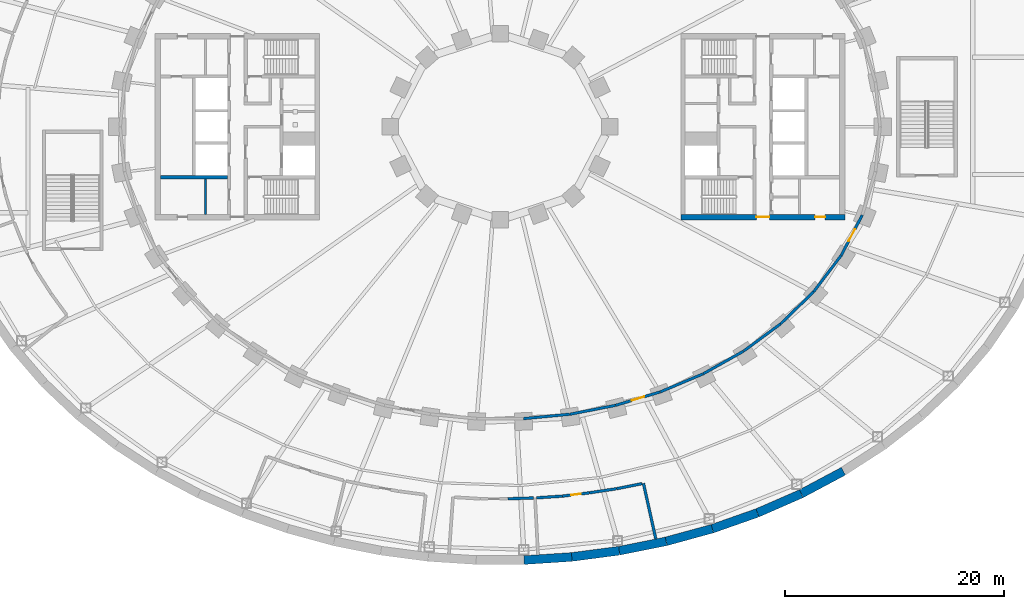
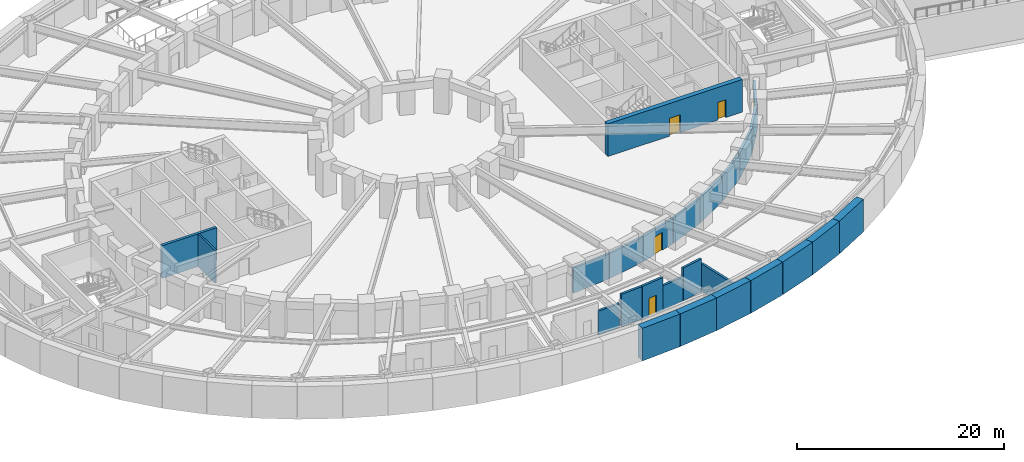
# One storey, part 18 of 32: 25 walls, 5 doors, 5 openings.
"""IFC4 building model written with IfcOpenShell, lengths in metres."""

from ifc_helpers import new_model, si_unit, direction, frame, frame_2d, origin, place, context, subcontext, project, spatial, rectangle, extrude, material, layer, layer_set, type_object, element, fill, save


model = new_model("IFC4")

# Units and contexts
model_context = context("Model", 3, precision=1e-05, world=origin(), true_north=direction((0.0, 1.0)))
body_context = subcontext(model_context, "Body", "Model", "MODEL_VIEW")
ifc_project = project(units=[si_unit("LENGTHUNIT", "METRE"), si_unit("AREAUNIT", "SQUARE_METRE"), si_unit("VOLUMEUNIT", "CUBIC_METRE"), si_unit("PLANEANGLEUNIT", "RADIAN"), si_unit("MASSUNIT", "GRAM", prefix="KILO")], contexts=[model_context])

# Site, building, storey
site_placement = place(None, origin())
site = spatial("IfcSite", under=ifc_project, at=site_placement, CompositionType="ELEMENT")
building_placement = place(site_placement, origin())
building = spatial("IfcBuilding", under=site, at=building_placement, Name="Noorbagh Ring Tower", CompositionType="ELEMENT")
storey_placement = place(building_placement, frame((0.0, 0.0, -4.199951171875)))
storey = spatial("IfcBuildingStorey", under=building, at=storey_placement, Name="B1", CompositionType="ELEMENT", Elevation=-4.199951171875)

# Walls
ifc_material_1 = material(Name="Gypsum board on steel studs", Category="steel")
ifc_layer_1 = layer(ifc_material_1, 0.199951171875)
ifc_layer_set_1 = layer_set([ifc_layer_1], Name="Gypsum board on steel studs")
wall_type_1 = type_object("IfcWallType", Name="CORE-PARTITION-200", PredefinedType="PARTITIONING", material=ifc_layer_set_1)
wall_1_placement = place(storey_placement, frame((-26.89990234375, -8.0, 0.0), z_axis=(0.0, 0.0, 1.0), x_axis=(0.0, 1.0, 0.0)))
element("IfcWall", 1, at=wall_1_placement, inside=storey, type_object=wall_type_1, Name="Core partition W", PredefinedType="PARTITIONING", context=body_context, shape_type="SweptSolid", body=[
    extrude(rectangle(XDim=3.25, YDim=0.199951171875, at=frame_2d((1.625, 0.0))), origin(), (0.0, 0.0, 1.0), 3.849853515625),
])
ifc_material_2 = material(Name="Concrete C70/85", Category="concrete")
ifc_layer_2 = layer(ifc_material_2, 0.300048828125)
ifc_layer_set_2 = layer_set([ifc_layer_2], Name="Concrete C70/85")
wall_type_2 = type_object("IfcWallType", Name="CORE-WALL-300-C70-85-EI240", PredefinedType="SHEAR", material=ifc_layer_set_2)
wall_2_placement = place(storey_placement, frame((-24.89990234375, -4.60009765625, 0.0), z_axis=(0.0, 0.0, 1.0), x_axis=(-1.0, 0.0, 0.0)))
element("IfcWall", 2, at=wall_2_placement, inside=storey, type_object=wall_type_2, Name="Core wall W", PredefinedType="SHEAR", context=body_context, shape_type="SweptSolid", body=[
    extrude(rectangle(XDim=6.10009765625, YDim=0.300048828125, at=frame_2d((3.050048828125, 0.0))), origin(), (0.0, 0.0, 1.0), 3.849853515625),
])

# Wall, openings, doors
ifc_material_3 = material(Name="Concrete C70/85", Category="concrete")
ifc_layer_3 = layer(ifc_material_3, 0.5)
ifc_layer_set_3 = layer_set([ifc_layer_3], Name="Concrete C70/85")
wall_type_3 = type_object("IfcWallType", Name="CORE-WALL-500-C70-85-EI240", PredefinedType="SHEAR", material=ifc_layer_set_3)
wall_3_placement = place(storey_placement, frame((16.5, -8.25, 0.0), z_axis=(0.0, 0.0, 1.0), x_axis=(1.0, 0.0, 0.0)))
wall_3 = element("IfcWall", 3, at=wall_3_placement, inside=storey, type_object=wall_type_3, Name="Core wall E", PredefinedType="SHEAR", context=body_context, shape_type="SweptSolid", body=[
    extrude(rectangle(XDim=15.0, YDim=0.5, at=frame_2d((7.5, 0.0))), origin(), (0.0, 0.0, 1.0), 3.849853515625),
])
opening_1_placement = place(wall_3_placement, frame((6.89990234375, 0.0, 0.0)))
opening_1 = element("IfcOpeningElement", 4, at=opening_1_placement, cuts=wall_3, Name="Opening B1-CE10", PredefinedType="OPENING", context=body_context, shape_type="SweptSolid", body=[
    extrude(rectangle(XDim=1.199951171875, YDim=2.10009765625, at=frame_2d((0.60009765625, 1.050048828125))), frame((0.0, 0.260009765625, 0.0), z_axis=(0.0, -1.0, 0.0), x_axis=(1.0, 0.0, 0.0)), (0.0, 0.0, 1.0), 0.52001953125),
])
opening_2_placement = place(wall_3_placement, frame((12.27490234375, 0.0, 0.0)))
opening_2 = element("IfcOpeningElement", 5, at=opening_2_placement, cuts=wall_3, Name="Opening B1-CE17", PredefinedType="OPENING", context=body_context, shape_type="SweptSolid", body=[
    extrude(rectangle(XDim=0.89990234375, YDim=2.10009765625, at=frame_2d((0.449951171875, 1.050048828125))), frame((0.0, 0.260009765625, 0.0), z_axis=(0.0, -1.0, 0.0), x_axis=(1.0, 0.0, 0.0)), (0.0, 0.0, 1.0), 0.52001953125),
])
ifc_material_4 = material(Name="Steel door leaf", Category="steel")
door_type_1 = type_object("IfcDoorType", Name="CORE-DOOR-DROOM", OperationType="SINGLE_SWING_LEFT", PredefinedType="DOOR", material=ifc_material_4)
door_1_placement = place(opening_2_placement, origin())
door_1 = element("IfcDoor", 6, at=door_1_placement, inside=storey, type_object=door_type_1, Name="Core room door B1-CE17", OperationType="SINGLE_SWING_RIGHT", OverallHeight=2.10009765625, OverallWidth=0.89990234375, PredefinedType="DOOR", context=body_context, shape_type="SweptSolid", body=[
    extrude(rectangle(XDim=0.89990234375, YDim=2.10009765625, at=frame_2d((0.449951171875, 1.050048828125))), frame((0.0, 0.02490234375, 0.0), z_axis=(0.0, -1.0, 0.0), x_axis=(1.0, 0.0, 0.0)), (0.0, 0.0, 1.0), 0.050048828125),
])
fill(opening_2, door_1)
ifc_material_5 = material(Name="Steel door leaf", Category="steel")
door_type_2 = type_object("IfcDoorType", Name="CORE-DOOR-PORT", OperationType="DOUBLE_DOOR_DOUBLE_SWING", PredefinedType="DOOR", material=ifc_material_5)
door_2_placement = place(opening_1_placement, origin())
door_2 = element("IfcDoor", 7, at=door_2_placement, inside=storey, type_object=door_type_2, Name="Core entrance door B1-CE10", OperationType="DOUBLE_DOOR_DOUBLE_SWING", OverallHeight=2.10009765625, OverallWidth=1.199951171875, PredefinedType="DOOR", context=body_context, shape_type="SweptSolid", body=[
    extrude(rectangle(XDim=1.199951171875, YDim=2.10009765625, at=frame_2d((0.60009765625, 1.050048828125))), frame((0.0, 0.02490234375, 0.0), z_axis=(0.0, -1.0, 0.0), x_axis=(1.0, 0.0, 0.0)), (0.0, 0.0, 1.0), 0.050048828125),
])
fill(opening_1, door_2)

# Walls
ifc_material_6 = material(Name="Concrete C40/50", Category="concrete")
ifc_layer_4 = layer(ifc_material_6, 0.25)
ifc_layer_set_4 = layer_set([ifc_layer_4], Name="Concrete C40/50")
wall_type_4 = type_object("IfcWallType", Name="GND-WALL-250", PredefinedType="SOLIDWALL", material=ifc_layer_set_4)
wall_4_placement = place(storey_placement, frame((0.703857421875, -33.964111328125, 0.0), z_axis=(0.0, 0.0, 1.0), x_axis=(0.999514588935, 0.031154237368, 0.0)))
element("IfcWall", 8, at=wall_4_placement, inside=storey, type_object=wall_type_4, Name="Refuse store", PredefinedType="SOLIDWALL", context=body_context, shape_type="SweptSolid", body=[
    extrude(rectangle(XDim=2.36669921875, YDim=0.25, at=frame_2d((1.183349609375, 0.0))), origin(), (0.0, 0.0, 1.0), 2.849853515625),
])
wall_5_placement = place(storey_placement, frame((3.319091796875, -33.87841796875, 0.0), z_axis=(0.0, 0.0, 1.0), x_axis=(0.997874570946, 0.065163952143, 0.0)))
element("IfcWall", 9, at=wall_5_placement, inside=storey, type_object=wall_type_4, Name="Bicycle store", PredefinedType="SOLIDWALL", context=body_context, shape_type="SweptSolid", body=[
    extrude(rectangle(XDim=2.367919921875, YDim=0.25, at=frame_2d((1.18408203125, 0.0))), origin(), (0.0, 0.0, 1.0), 3.849853515625),
])

# Wall, opening, door
wall_6_placement = place(storey_placement, frame((5.69580078125, -33.722900390625, 0.0), z_axis=(0.0, 0.0, 1.0), x_axis=(0.992470098736, 0.122487154901, 0.0)))
wall_6 = element("IfcWall", 10, at=wall_6_placement, inside=storey, type_object=wall_type_4, Name="Bicycle store", PredefinedType="SOLIDWALL", context=body_context, shape_type="SweptSolid", body=[
    extrude(rectangle(XDim=2.485595703125, YDim=0.25, at=frame_2d((1.24267578125, 0.0))), origin(), (0.0, 0.0, 1.0), 3.849853515625),
])
opening_3_placement = place(wall_6_placement, frame((0.792724609375, 0.0, 0.0)))
opening_3 = element("IfcOpeningElement", 11, at=opening_3_placement, cuts=wall_6, Name="Opening GD1", PredefinedType="OPENING", context=body_context, shape_type="SweptSolid", body=[
    extrude(rectangle(XDim=0.89990234375, YDim=2.10009765625, at=frame_2d((0.449951171875, 1.050048828125))), frame((0.0, 0.135009765625, 0.0), z_axis=(0.0, -1.0, 0.0), x_axis=(1.0, 0.0, 0.0)), (0.0, 0.0, 1.0), 0.27001953125),
])
ifc_material_7 = material(Name="Steel", Category="steel")
door_type_3 = type_object("IfcDoorType", Name="GND-DOOR-SVC60", OperationType="SINGLE_SWING_LEFT", PredefinedType="DOOR", material=ifc_material_7)
door_3_placement = place(opening_3_placement, origin())
door_3 = element("IfcDoor", 12, at=door_3_placement, inside=storey, type_object=door_type_3, Name="Bicycle store door", OperationType="SINGLE_SWING_LEFT", OverallHeight=2.10009765625, OverallWidth=0.89990234375, PredefinedType="DOOR", context=body_context, shape_type="SweptSolid", body=[
    extrude(rectangle(XDim=0.89990234375, YDim=2.10009765625, at=frame_2d((0.449951171875, 1.050048828125))), frame((0.0, 0.02490234375, 0.0), z_axis=(0.0, -1.0, 0.0), x_axis=(1.0, 0.0, 0.0)), (0.0, 0.0, 1.0), 0.050048828125),
])
fill(opening_3, door_3)

# Walls
wall_7_placement = place(storey_placement, frame((8.176513671875, -33.41650390625, 0.0), z_axis=(0.0, 0.0, 1.0), x_axis=(0.988860556861, 0.148844882627, 0.0)))
element("IfcWall", 13, at=wall_7_placement, inside=storey, type_object=wall_type_4, Name="Bicycle store", PredefinedType="SOLIDWALL", context=body_context, shape_type="SweptSolid", body=[
    extrude(rectangle(XDim=2.48486328125, YDim=0.25, at=frame_2d((1.242431640625, 0.0))), origin(), (0.0, 0.0, 1.0), 2.849853515625),
])
wall_8_placement = place(storey_placement, frame((10.6474609375, -33.044189453125, 0.0), z_axis=(0.0, 0.0, 1.0), x_axis=(0.980501286176, 0.196512665768, 0.0)))
element("IfcWall", 14, at=wall_8_placement, inside=storey, type_object=wall_type_4, Name="Bicycle store", PredefinedType="SOLIDWALL", context=body_context, shape_type="SweptSolid", body=[
    extrude(rectangle(XDim=2.367919921875, YDim=0.25, at=frame_2d((1.18408203125, 0.0))), origin(), (0.0, 0.0, 1.0), 3.849853515625),
])
wall_9_placement = place(storey_placement, frame((13.091796875, -32.55419921875, 0.0), z_axis=(0.0, 0.0, 1.0), x_axis=(0.216865830922, -0.976201419472, 0.0)))
element("IfcWall", 15, at=wall_9_placement, inside=storey, type_object=wall_type_4, Name="Bicycle store", PredefinedType="SOLIDWALL", context=body_context, shape_type="SweptSolid", body=[
    extrude(rectangle(XDim=5.199951171875, YDim=0.25, at=frame_2d((2.60009765625, 0.0))), origin(), (0.0, 0.0, 1.0), 3.25),
])
ifc_material_8 = material(Name="Concrete C40/50", Category="concrete")
ifc_layer_5 = layer(ifc_material_8, 0.25)
ifc_layer_set_5 = layer_set([ifc_layer_5], Name="Concrete C40/50")
wall_type_5 = type_object("IfcWallType", Name="GND-WALL-RING", PredefinedType="SOLIDWALL", material=ifc_layer_set_5)
wall_10_placement = place(storey_placement, frame((2.14013671875, -26.647216796875, 0.0), z_axis=(0.0, 0.0, 1.0), x_axis=(0.995473208191, 0.09504257874, 0.0)))
element("IfcWall", 16, at=wall_10_placement, inside=storey, type_object=wall_type_5, Name="Tower basement fire wall", PredefinedType="SOLIDWALL", context=body_context, shape_type="SweptSolid", body=[
    extrude(rectangle(XDim=4.24365234375, YDim=0.25, at=frame_2d((2.121826171875, 0.0))), origin(), (0.0, 0.0, 1.0), 2.949951171875),
])
wall_11_placement = place(storey_placement, frame((6.38232421875, -26.241455078125, 0.0), z_axis=(0.0, 0.0, 1.0), x_axis=(0.981622881166, 0.190831127365, 0.0)))
element("IfcWall", 17, at=wall_11_placement, inside=storey, type_object=wall_type_5, Name="Tower basement fire wall", PredefinedType="SOLIDWALL", context=body_context, shape_type="SweptSolid", body=[
    extrude(rectangle(XDim=4.23974609375, YDim=0.25, at=frame_2d((2.119873046875, 0.0))), origin(), (0.0, 0.0, 1.0), 2.949951171875),
])

# Wall, opening, door
wall_12_placement = place(storey_placement, frame((10.561767578125, -25.427978515625, 0.0), z_axis=(0.0, 0.0, 1.0), x_axis=(0.957589494621, 0.28813600919, 0.0)))
wall_12 = element("IfcWall", 18, at=wall_12_placement, inside=storey, type_object=wall_type_5, Name="Tower basement fire wall", PredefinedType="SOLIDWALL", context=body_context, shape_type="SweptSolid", body=[
    extrude(rectangle(XDim=4.234130859375, YDim=0.25, at=frame_2d((2.1171875, 0.0))), origin(), (0.0, 0.0, 1.0), 2.949951171875),
])
opening_4_placement = place(wall_12_placement, frame((1.51708984375, 0.0, 0.0)))
opening_4 = element("IfcOpeningElement", 19, at=opening_4_placement, cuts=wall_12, Name="Opening GD4", PredefinedType="OPENING", context=body_context, shape_type="SweptSolid", body=[
    extrude(rectangle(XDim=1.199951171875, YDim=2.10009765625, at=frame_2d((0.60009765625, 1.050048828125))), frame((0.0, 0.135009765625, 0.0), z_axis=(0.0, -1.0, 0.0), x_axis=(1.0, 0.0, 0.0)), (0.0, 0.0, 1.0), 0.27001953125),
])
ifc_material_9 = material(Name="Steel", Category="steel")
door_type_4 = type_object("IfcDoorType", Name="GND-DOOR-RING", OperationType="DOUBLE_DOOR_SINGLE_SWING", PredefinedType="DOOR", material=ifc_material_9)
door_4_placement = place(opening_4_placement, origin())
door_4 = element("IfcDoor", 20, at=door_4_placement, inside=storey, type_object=door_type_4, Name="Tower basement door", OperationType="DOUBLE_DOOR_SINGLE_SWING", OverallHeight=2.10009765625, OverallWidth=1.199951171875, PredefinedType="DOOR", context=body_context, shape_type="SweptSolid", body=[
    extrude(rectangle(XDim=1.199951171875, YDim=2.10009765625, at=frame_2d((0.60009765625, 1.050048828125))), frame((0.0, 0.02490234375, 0.0), z_axis=(0.0, -1.0, 0.0), x_axis=(1.0, 0.0, 0.0)), (0.0, 0.0, 1.0), 0.050048828125),
])
fill(opening_4, door_4)

# Walls
wall_13_placement = place(storey_placement, frame((14.633056640625, -24.201904296875, 0.0), z_axis=(0.0, 0.0, 1.0), x_axis=(0.921810386469, 0.387641085798, 0.0)))
element("IfcWall", 21, at=wall_13_placement, inside=storey, type_object=wall_type_5, Name="Tower basement fire wall", PredefinedType="SOLIDWALL", context=body_context, shape_type="SweptSolid", body=[
    extrude(rectangle(XDim=4.225341796875, YDim=0.25, at=frame_2d((2.11279296875, 0.0))), origin(), (0.0, 0.0, 1.0), 2.949951171875),
])
wall_14_placement = place(storey_placement, frame((18.544189453125, -22.555908203125, 0.0), z_axis=(0.0, 0.0, 1.0), x_axis=(0.872061015455, 0.489397165218, 0.0)))
element("IfcWall", 22, at=wall_14_placement, inside=storey, type_object=wall_type_5, Name="Tower basement fire wall", PredefinedType="SOLIDWALL", context=body_context, shape_type="SweptSolid", body=[
    extrude(rectangle(XDim=4.21337890625, YDim=0.25, at=frame_2d((2.106689453125, 0.0))), origin(), (0.0, 0.0, 1.0), 2.949951171875),
])
wall_15_placement = place(storey_placement, frame((22.2333984375, -20.484130859375, 0.0), z_axis=(0.0, 0.0, 1.0), x_axis=(0.805155221937, 0.593064135306, 0.0)))
element("IfcWall", 23, at=wall_15_placement, inside=storey, type_object=wall_type_5, Name="Tower basement fire wall", PredefinedType="SOLIDWALL", context=body_context, shape_type="SweptSolid", body=[
    extrude(rectangle(XDim=4.197998046875, YDim=0.25, at=frame_2d((2.09912109375, 0.0))), origin(), (0.0, 0.0, 1.0), 2.949951171875),
])
wall_16_placement = place(storey_placement, frame((25.627197265625, -17.98291015625, 0.0), z_axis=(0.0, 0.0, 1.0), x_axis=(0.717227656803, 0.696838925661, 0.0)))
element("IfcWall", 24, at=wall_16_placement, inside=storey, type_object=wall_type_5, Name="Tower basement fire wall", PredefinedType="SOLIDWALL", context=body_context, shape_type="SweptSolid", body=[
    extrude(rectangle(XDim=4.178955078125, YDim=0.25, at=frame_2d((2.08935546875, 0.0))), origin(), (0.0, 0.0, 1.0), 2.949951171875),
])
wall_17_placement = place(storey_placement, frame((28.636474609375, -15.05712890625, 0.0), z_axis=(0.0, 0.0, 1.0), x_axis=(0.604041965907, 0.796952510143, 0.0)))
element("IfcWall", 25, at=wall_17_placement, inside=storey, type_object=wall_type_5, Name="Tower basement fire wall", PredefinedType="SOLIDWALL", context=body_context, shape_type="SweptSolid", body=[
    extrude(rectangle(XDim=4.157470703125, YDim=0.25, at=frame_2d((2.07861328125, 0.0))), origin(), (0.0, 0.0, 1.0), 2.949951171875),
])

# Wall, opening, door
wall_18_placement = place(storey_placement, frame((31.1572265625, -11.728759765625, 0.0), z_axis=(0.0, 0.0, 1.0), x_axis=(0.462265314279, 0.886741664305, 0.0)))
wall_18 = element("IfcWall", 26, at=wall_18_placement, inside=storey, type_object=wall_type_5, Name="Tower basement fire wall", PredefinedType="SOLIDWALL", context=body_context, shape_type="SweptSolid", body=[
    extrude(rectangle(XDim=4.134765625, YDim=0.25, at=frame_2d((2.0673828125, 0.0))), origin(), (0.0, 0.0, 1.0), 2.949951171875),
])
opening_5_placement = place(wall_18_placement, frame((1.46728515625, 0.0, 0.0)))
opening_5 = element("IfcOpeningElement", 27, at=opening_5_placement, cuts=wall_18, Name="Opening GD4", PredefinedType="OPENING", context=body_context, shape_type="SweptSolid", body=[
    extrude(rectangle(XDim=1.199951171875, YDim=2.10009765625, at=frame_2d((0.60009765625, 1.050048828125))), frame((0.0, 0.135009765625, 0.0), z_axis=(0.0, -1.0, 0.0), x_axis=(1.0, 0.0, 0.0)), (0.0, 0.0, 1.0), 0.27001953125),
])
door_5_placement = place(opening_5_placement, origin())
door_5 = element("IfcDoor", 28, at=door_5_placement, inside=storey, type_object=door_type_4, Name="Tower basement door", OperationType="DOUBLE_DOOR_SINGLE_SWING", OverallHeight=2.10009765625, OverallWidth=1.199951171875, PredefinedType="DOOR", context=body_context, shape_type="SweptSolid", body=[
    extrude(rectangle(XDim=1.199951171875, YDim=2.10009765625, at=frame_2d((0.60009765625, 1.050048828125))), frame((0.0, 0.02490234375, 0.0), z_axis=(0.0, -1.0, 0.0), x_axis=(1.0, 0.0, 0.0)), (0.0, 0.0, 1.0), 0.050048828125),
])
fill(opening_5, door_5)

# Walls
ifc_material_10 = material(Name="Concrete C40/50", Category="concrete")
ifc_layer_6 = layer(ifc_material_10, 0.800048828125)
ifc_layer_set_6 = layer_set([ifc_layer_6], Name="Concrete C40/50")
wall_type_6 = type_object("IfcWallType", Name="STR-RETAINING-WALL", PredefinedType="SOLIDWALL", material=ifc_layer_set_6)
wall_19_placement = place(storey_placement, frame((2.185546875, -39.564208984375, 0.0), z_axis=(0.0, 0.0, 1.0), x_axis=(0.997876871627, 0.065128711577, 0.0)))
element("IfcWall", 29, at=wall_19_placement, inside=storey, type_object=wall_type_6, Name="B1/retwall/51", PredefinedType="SOLIDWALL", context=body_context, shape_type="SweptSolid", body=[
    extrude(rectangle(XDim=4.370849609375, YDim=0.800048828125, at=frame_2d((2.185546875, 0.0))), origin(), (0.0, 0.0, 1.0), 3.849853515625),
])
wall_20_placement = place(storey_placement, frame((6.547119140625, -39.279541015625, 0.0), z_axis=(0.0, 0.0, 1.0), x_axis=(0.991441741932, 0.130549884544, 0.0)))
element("IfcWall", 30, at=wall_20_placement, inside=storey, type_object=wall_type_6, Name="B1/retwall/52", PredefinedType="SOLIDWALL", context=body_context, shape_type="SweptSolid", body=[
    extrude(rectangle(XDim=4.370361328125, YDim=0.800048828125, at=frame_2d((2.18505859375, 0.0))), origin(), (0.0, 0.0, 1.0), 3.849853515625),
])
wall_21_placement = place(storey_placement, frame((10.880126953125, -38.708984375, 0.0), z_axis=(0.0, 0.0, 1.0), x_axis=(0.980494629762, 0.196545875071, 0.0)))
element("IfcWall", 31, at=wall_21_placement, inside=storey, type_object=wall_type_6, Name="B1/retwall/53", PredefinedType="SOLIDWALL", context=body_context, shape_type="SweptSolid", body=[
    extrude(rectangle(XDim=4.369873046875, YDim=0.800048828125, at=frame_2d((2.18505859375, 0.0))), origin(), (0.0, 0.0, 1.0), 3.849853515625),
])
wall_22_placement = place(storey_placement, frame((15.164794921875, -37.85009765625, 0.0), z_axis=(0.0, 0.0, 1.0), x_axis=(0.964679950239, 0.263424739931, 0.0)))
element("IfcWall", 32, at=wall_22_placement, inside=storey, type_object=wall_type_6, Name="B1/retwall/54", PredefinedType="SOLIDWALL", context=body_context, shape_type="SweptSolid", body=[
    extrude(rectangle(XDim=4.368896484375, YDim=0.800048828125, at=frame_2d((2.1845703125, 0.0))), origin(), (0.0, 0.0, 1.0), 3.849853515625),
])
wall_23_placement = place(storey_placement, frame((19.37939453125, -36.69921875, 0.0), z_axis=(0.0, 0.0, 1.0), x_axis=(0.943526738033, 0.331296384853, 0.0)))
element("IfcWall", 33, at=wall_23_placement, inside=storey, type_object=wall_type_6, Name="B1/retwall/55", PredefinedType="SOLIDWALL", context=body_context, shape_type="SweptSolid", body=[
    extrude(rectangle(XDim=4.36767578125, YDim=0.800048828125, at=frame_2d((2.183837890625, 0.0))), origin(), (0.0, 0.0, 1.0), 3.849853515625),
])
wall_24_placement = place(storey_placement, frame((23.50048828125, -35.252197265625, 0.0), z_axis=(0.0, 0.0, 1.0), x_axis=(0.916336904548, 0.400408138483, 0.0)))
element("IfcWall", 34, at=wall_24_placement, inside=storey, type_object=wall_type_6, Name="B1/retwall/56", PredefinedType="SOLIDWALL", context=body_context, shape_type="SweptSolid", body=[
    extrude(rectangle(XDim=4.3662109375, YDim=0.800048828125, at=frame_2d((2.18310546875, 0.0))), origin(), (0.0, 0.0, 1.0), 3.849853515625),
])
wall_25_placement = place(storey_placement, frame((27.50146484375, -33.50390625, 0.0), z_axis=(0.0, 0.0, 1.0), x_axis=(0.882159305704, 0.47095112205, 0.0)))
element("IfcWall", 35, at=wall_25_placement, inside=storey, type_object=wall_type_6, Name="B1/retwall/57", PredefinedType="SOLIDWALL", context=body_context, shape_type="SweptSolid", body=[
    extrude(rectangle(XDim=4.364501953125, YDim=0.800048828125, at=frame_2d((2.18212890625, 0.0))), origin(), (0.0, 0.0, 1.0), 3.849853515625),
])

save(model, "model.ifc")
